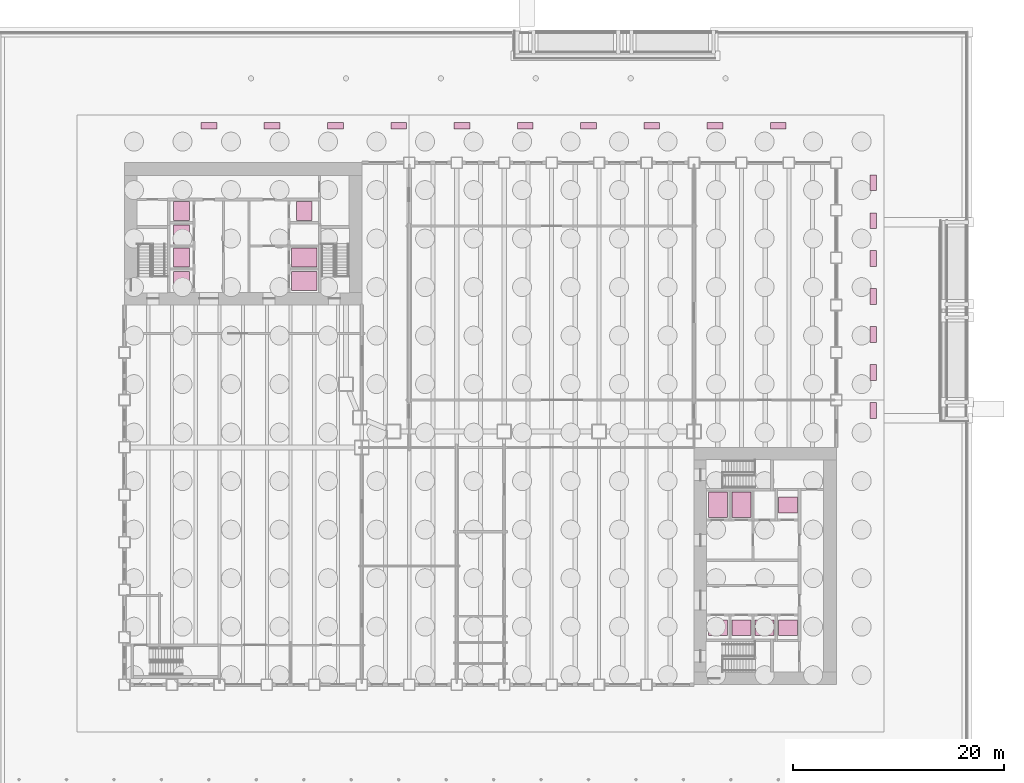
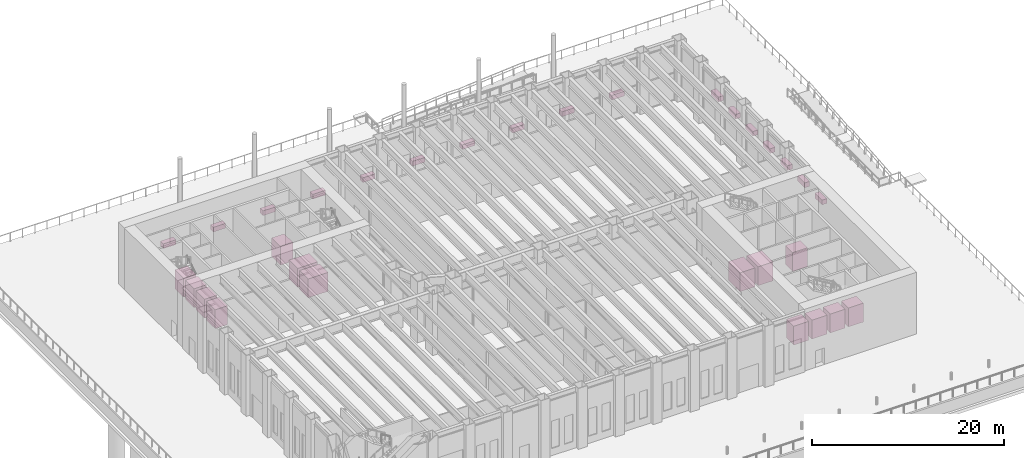
# One storey, part 23 of 26: 17 furniture elements, 14 transport elements.
"""IFC4 building model written with IfcOpenShell, lengths in metres."""

from ifc_helpers import new_model, si_unit, direction, frame, origin, origin_2d, place, context, subcontext, project, spatial, rectangle, extrude, material, type_object, element, save


model = new_model("IFC4")

# Units and contexts
model_context = context("Model", 3, precision=1e-05, world=origin(), true_north=direction((0.0, 1.0)))
body_context = subcontext(model_context, "Body", "Model", "MODEL_VIEW")
ifc_project = project(units=[si_unit("LENGTHUNIT", "METRE"), si_unit("AREAUNIT", "SQUARE_METRE"), si_unit("VOLUMEUNIT", "CUBIC_METRE"), si_unit("PLANEANGLEUNIT", "RADIAN"), si_unit("MASSUNIT", "GRAM", prefix="KILO")], contexts=[model_context])

# Site, building, storey
site_placement = place(None, origin())
site = spatial("IfcSite", under=ifc_project, at=site_placement, CompositionType="ELEMENT")
building_placement = place(site_placement, origin())
building = spatial("IfcBuilding", under=site, at=building_placement, Name="Sennacour Bend Tower", CompositionType="ELEMENT")
storey_placement = place(building_placement, origin())
storey = spatial("IfcBuildingStorey", under=building, at=storey_placement, Name="L00", CompositionType="ELEMENT", Elevation=0.0)

# Transport elements
ifc_material_1 = material(Name="Stainless steel", Category="steel")
transport_element_type_1 = type_object("IfcTransportElementType", Name="LIFT-FA1", PredefinedType="ELEVATOR", material=ifc_material_1)
transport_element_1_placement = place(storey_placement, frame((56.300048828125, 17.050048828125, 0.0), z_axis=(0.0, 0.0, 1.0), x_axis=(1.0, 0.0, 0.0)))
element("IfcTransportElement", 1, at=transport_element_1_placement, inside=storey, type_object=transport_element_type_1, Name="Fire service access lift FA1", PredefinedType="ELEVATOR", context=body_context, shape_type="SweptSolid", body=[
    extrude(rectangle(XDim=1.800048828125, YDim=2.39990234375, at=origin_2d()), origin(), (0.0, 0.0, 1.0), 2.39990234375),
])
transport_element_type_2 = type_object("IfcTransportElementType", Name="LIFT-FA2", PredefinedType="ELEVATOR", material=ifc_material_1)
transport_element_2_placement = place(storey_placement, frame((58.5, 17.050048828125, 0.0), z_axis=(0.0, 0.0, 1.0), x_axis=(1.0, 0.0, 0.0)))
element("IfcTransportElement", 2, at=transport_element_2_placement, inside=storey, type_object=transport_element_type_2, Name="Service lift FA2 (fire service access)", PredefinedType="ELEVATOR", context=body_context, shape_type="SweptSolid", body=[
    extrude(rectangle(XDim=1.800048828125, YDim=2.39990234375, at=origin_2d()), origin(), (0.0, 0.0, 1.0), 2.39990234375),
])
transport_element_type_3 = type_object("IfcTransportElementType", Name="LIFT-FB1", PredefinedType="ELEVATOR", material=ifc_material_1)
transport_element_3_placement = place(storey_placement, frame((17.050048828125, 38.300048828125, 0.0), z_axis=(0.0, 0.0, 1.0), x_axis=(1.0, 0.0, 0.0)))
element("IfcTransportElement", 3, at=transport_element_3_placement, inside=storey, type_object=transport_element_type_3, Name="Fire service access lift FB1", PredefinedType="ELEVATOR", context=body_context, shape_type="SweptSolid", body=[
    extrude(rectangle(XDim=2.39990234375, YDim=1.800048828125, at=origin_2d()), origin(), (0.0, 0.0, 1.0), 2.39990234375),
])
transport_element_type_4 = type_object("IfcTransportElementType", Name="LIFT-FB2", PredefinedType="ELEVATOR", material=ifc_material_1)
transport_element_4_placement = place(storey_placement, frame((17.050048828125, 40.5, 0.0), z_axis=(0.0, 0.0, 1.0), x_axis=(1.0, 0.0, 0.0)))
element("IfcTransportElement", 4, at=transport_element_4_placement, inside=storey, type_object=transport_element_type_4, Name="Service lift FB2 (fire service access)", PredefinedType="ELEVATOR", context=body_context, shape_type="SweptSolid", body=[
    extrude(rectangle(XDim=2.39990234375, YDim=1.800048828125, at=origin_2d()), origin(), (0.0, 0.0, 1.0), 2.39990234375),
])
transport_element_type_5 = type_object("IfcTransportElementType", Name="LIFT-LA1", PredefinedType="ELEVATOR", material=ifc_material_1)
transport_element_5_placement = place(storey_placement, frame((56.300048828125, 5.39990234375, 0.0), z_axis=(0.0, 0.0, 1.0), x_axis=(1.0, 0.0, 0.0)))
element("IfcTransportElement", 5, at=transport_element_5_placement, inside=storey, type_object=transport_element_type_5, Name="Low-rise passenger lift LA1", PredefinedType="ELEVATOR", context=body_context, shape_type="SweptSolid", body=[
    extrude(rectangle(XDim=1.800048828125, YDim=1.5, at=origin_2d()), origin(), (0.0, 0.0, 1.0), 2.39990234375),
])
transport_element_type_6 = type_object("IfcTransportElementType", Name="LIFT-LA2", PredefinedType="ELEVATOR", material=ifc_material_1)
transport_element_6_placement = place(storey_placement, frame((58.5, 5.39990234375, 0.0), z_axis=(0.0, 0.0, 1.0), x_axis=(1.0, 0.0, 0.0)))
element("IfcTransportElement", 6, at=transport_element_6_placement, inside=storey, type_object=transport_element_type_6, Name="Low-rise passenger lift LA2", PredefinedType="ELEVATOR", context=body_context, shape_type="SweptSolid", body=[
    extrude(rectangle(XDim=1.800048828125, YDim=1.5, at=origin_2d()), origin(), (0.0, 0.0, 1.0), 2.39990234375),
])
transport_element_type_7 = type_object("IfcTransportElementType", Name="LIFT-LA3", PredefinedType="ELEVATOR", material=ifc_material_1)
transport_element_7_placement = place(storey_placement, frame((60.699951171875, 5.39990234375, 0.0), z_axis=(0.0, 0.0, 1.0), x_axis=(1.0, 0.0, 0.0)))
element("IfcTransportElement", 7, at=transport_element_7_placement, inside=storey, type_object=transport_element_type_7, Name="Low-rise passenger lift LA3", PredefinedType="ELEVATOR", context=body_context, shape_type="SweptSolid", body=[
    extrude(rectangle(XDim=1.800048828125, YDim=1.5, at=origin_2d()), origin(), (0.0, 0.0, 1.0), 2.39990234375),
])
transport_element_type_8 = type_object("IfcTransportElementType", Name="LIFT-LA4", PredefinedType="ELEVATOR", material=ifc_material_1)
transport_element_8_placement = place(storey_placement, frame((62.89990234375, 5.39990234375, 0.0), z_axis=(0.0, 0.0, 1.0), x_axis=(1.0, 0.0, 0.0)))
element("IfcTransportElement", 8, at=transport_element_8_placement, inside=storey, type_object=transport_element_type_8, Name="Low-rise passenger lift LA4", PredefinedType="ELEVATOR", context=body_context, shape_type="SweptSolid", body=[
    extrude(rectangle(XDim=1.800048828125, YDim=1.5, at=origin_2d()), origin(), (0.0, 0.0, 1.0), 2.39990234375),
])
transport_element_type_9 = type_object("IfcTransportElementType", Name="LIFT-LA5", PredefinedType="ELEVATOR", material=ifc_material_1)
transport_element_9_placement = place(storey_placement, frame((62.89990234375, 17.050048828125, 0.0), z_axis=(0.0, 0.0, 1.0), x_axis=(1.0, 0.0, 0.0)))
element("IfcTransportElement", 9, at=transport_element_9_placement, inside=storey, type_object=transport_element_type_9, Name="Low-rise passenger lift LA5", PredefinedType="ELEVATOR", context=body_context, shape_type="SweptSolid", body=[
    extrude(rectangle(XDim=1.800048828125, YDim=1.5, at=origin_2d()), origin(), (0.0, 0.0, 1.0), 2.39990234375),
])
transport_element_type_10 = type_object("IfcTransportElementType", Name="LIFT-LB1", PredefinedType="ELEVATOR", material=ifc_material_1)
transport_element_10_placement = place(storey_placement, frame((5.39990234375, 38.300048828125, 0.0), z_axis=(0.0, 0.0, 1.0), x_axis=(1.0, 0.0, 0.0)))
element("IfcTransportElement", 10, at=transport_element_10_placement, inside=storey, type_object=transport_element_type_10, Name="Low-rise passenger lift LB1", PredefinedType="ELEVATOR", context=body_context, shape_type="SweptSolid", body=[
    extrude(rectangle(XDim=1.5, YDim=1.800048828125, at=origin_2d()), origin(), (0.0, 0.0, 1.0), 2.39990234375),
])
transport_element_type_11 = type_object("IfcTransportElementType", Name="LIFT-LB2", PredefinedType="ELEVATOR", material=ifc_material_1)
transport_element_11_placement = place(storey_placement, frame((5.39990234375, 40.5, 0.0), z_axis=(0.0, 0.0, 1.0), x_axis=(1.0, 0.0, 0.0)))
element("IfcTransportElement", 11, at=transport_element_11_placement, inside=storey, type_object=transport_element_type_11, Name="Low-rise passenger lift LB2", PredefinedType="ELEVATOR", context=body_context, shape_type="SweptSolid", body=[
    extrude(rectangle(XDim=1.5, YDim=1.800048828125, at=origin_2d()), origin(), (0.0, 0.0, 1.0), 2.39990234375),
])
transport_element_type_12 = type_object("IfcTransportElementType", Name="LIFT-LB3", PredefinedType="ELEVATOR", material=ifc_material_1)
transport_element_12_placement = place(storey_placement, frame((5.39990234375, 42.699951171875, 0.0), z_axis=(0.0, 0.0, 1.0), x_axis=(1.0, 0.0, 0.0)))
element("IfcTransportElement", 12, at=transport_element_12_placement, inside=storey, type_object=transport_element_type_12, Name="Low-rise passenger lift LB3", PredefinedType="ELEVATOR", context=body_context, shape_type="SweptSolid", body=[
    extrude(rectangle(XDim=1.5, YDim=1.800048828125, at=origin_2d()), origin(), (0.0, 0.0, 1.0), 2.39990234375),
])
transport_element_type_13 = type_object("IfcTransportElementType", Name="LIFT-LB4", PredefinedType="ELEVATOR", material=ifc_material_1)
transport_element_13_placement = place(storey_placement, frame((5.39990234375, 44.89990234375, 0.0), z_axis=(0.0, 0.0, 1.0), x_axis=(1.0, 0.0, 0.0)))
element("IfcTransportElement", 13, at=transport_element_13_placement, inside=storey, type_object=transport_element_type_13, Name="Low-rise passenger lift LB4", PredefinedType="ELEVATOR", context=body_context, shape_type="SweptSolid", body=[
    extrude(rectangle(XDim=1.5, YDim=1.800048828125, at=origin_2d()), origin(), (0.0, 0.0, 1.0), 2.39990234375),
])
transport_element_type_14 = type_object("IfcTransportElementType", Name="LIFT-LB5", PredefinedType="ELEVATOR", material=ifc_material_1)
transport_element_14_placement = place(storey_placement, frame((17.050048828125, 44.89990234375, 0.0), z_axis=(0.0, 0.0, 1.0), x_axis=(1.0, 0.0, 0.0)))
element("IfcTransportElement", 14, at=transport_element_14_placement, inside=storey, type_object=transport_element_type_14, Name="Low-rise passenger lift LB5", PredefinedType="ELEVATOR", context=body_context, shape_type="SweptSolid", body=[
    extrude(rectangle(XDim=1.5, YDim=1.800048828125, at=origin_2d()), origin(), (0.0, 0.0, 1.0), 2.39990234375),
])

# Furniture
ifc_material_2 = material(Name="Planting soil with planting")
furniture_type = type_object("IfcFurnitureType", Name="PL-PLANTER-1500", AssemblyPlace="NOTDEFINED", PredefinedType="USERDEFINED", material=ifc_material_2)
for number, where, z_axis, x_axis, name in (
    (15, (8.0, 53.0, 0.0), (0.0, 0.0, 1.0), (1.0, 0.0, 0.0), "Planter"),
    (16, (14.0, 53.0, 0.0), (0.0, 0.0, 1.0), (1.0, 0.0, 0.0), "Planter"),
    (17, (20.0, 53.0, 0.0), (0.0, 0.0, 1.0), (1.0, 0.0, 0.0), "Planter"),
    (18, (26.0, 53.0, 0.0), (0.0, 0.0, 1.0), (1.0, 0.0, 0.0), "Planter"),
    (19, (32.0, 53.0, 0.0), (0.0, 0.0, 1.0), (1.0, 0.0, 0.0), "Planter"),
    (20, (38.0, 53.0, 0.0), (0.0, 0.0, 1.0), (1.0, 0.0, 0.0), "Planter"),
    (21, (44.0, 53.0, 0.0), (0.0, 0.0, 1.0), (1.0, 0.0, 0.0), "Planter"),
    (22, (50.0, 53.0, 0.0), (0.0, 0.0, 1.0), (1.0, 0.0, 0.0), "Planter"),
    (23, (56.0, 53.0, 0.0), (0.0, 0.0, 1.0), (1.0, 0.0, 0.0), "Planter"),
    (24, (62.0, 53.0, 0.0), (0.0, 0.0, 1.0), (1.0, 0.0, 0.0), "Planter"),
):
    element("IfcFurniture", number, at=place(storey_placement, frame(where, z_axis=z_axis, x_axis=x_axis)), inside=storey, type_object=furniture_type, Name=name, ObjectType="PLANTER", PredefinedType="USERDEFINED", context=body_context, shape_type="SweptSolid", body=[
        extrude(rectangle(XDim=1.5, YDim=0.60009765625, at=origin_2d()), origin(), (0.0, 0.0, 1.0), 0.60009765625),
    ])
for number, where, z_axis, x_axis, name in (
    (25, (71.0, 26.0, 0.0), (0.0, 0.0, 1.0), (1.0, 0.0, 0.0), "Planter"),
    (26, (71.0, 29.60009765625, 0.0), (0.0, 0.0, 1.0), (1.0, 0.0, 0.0), "Planter"),
    (27, (71.0, 33.199951171875, 0.0), (0.0, 0.0, 1.0), (1.0, 0.0, 0.0), "Planter"),
    (28, (71.0, 36.800048828125, 0.0), (0.0, 0.0, 1.0), (1.0, 0.0, 0.0), "Planter"),
    (29, (71.0, 40.39990234375, 0.0), (0.0, 0.0, 1.0), (1.0, 0.0, 0.0), "Planter"),
    (30, (71.0, 44.0, 0.0), (0.0, 0.0, 1.0), (1.0, 0.0, 0.0), "Planter"),
    (31, (71.0, 47.60009765625, 0.0), (0.0, 0.0, 1.0), (1.0, 0.0, 0.0), "Planter"),
):
    element("IfcFurniture", number, at=place(storey_placement, frame(where, z_axis=z_axis, x_axis=x_axis)), inside=storey, type_object=furniture_type, Name=name, ObjectType="PLANTER", PredefinedType="USERDEFINED", context=body_context, shape_type="SweptSolid", body=[
        extrude(rectangle(XDim=0.60009765625, YDim=1.5, at=origin_2d()), origin(), (0.0, 0.0, 1.0), 0.60009765625),
    ])

save(model, "model.ifc")
